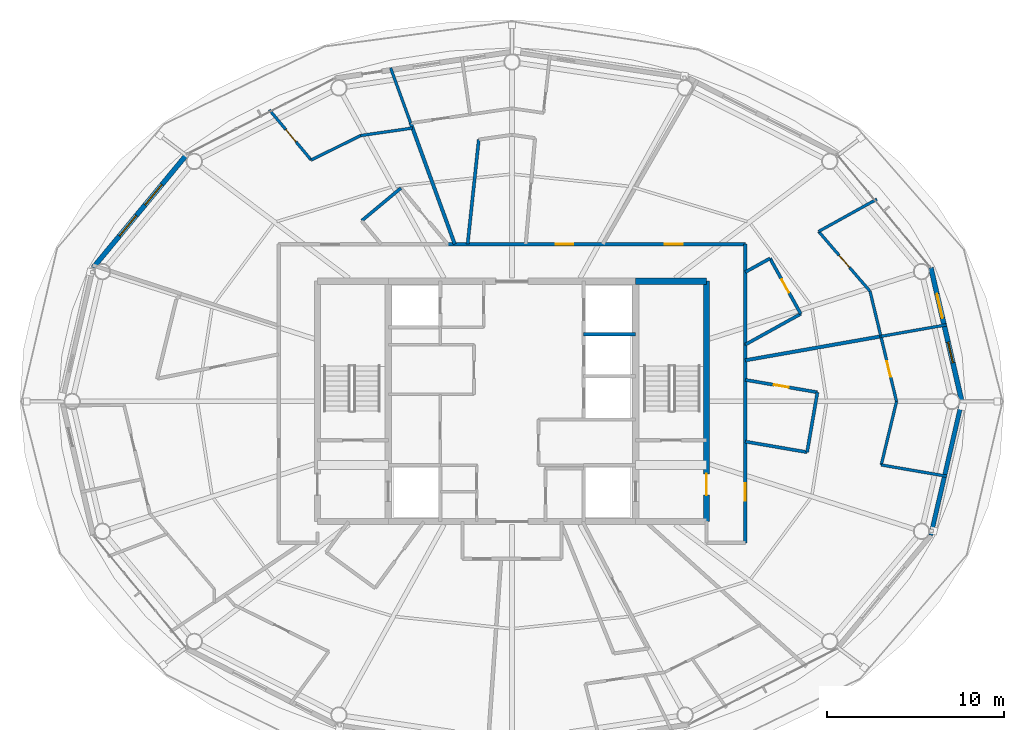
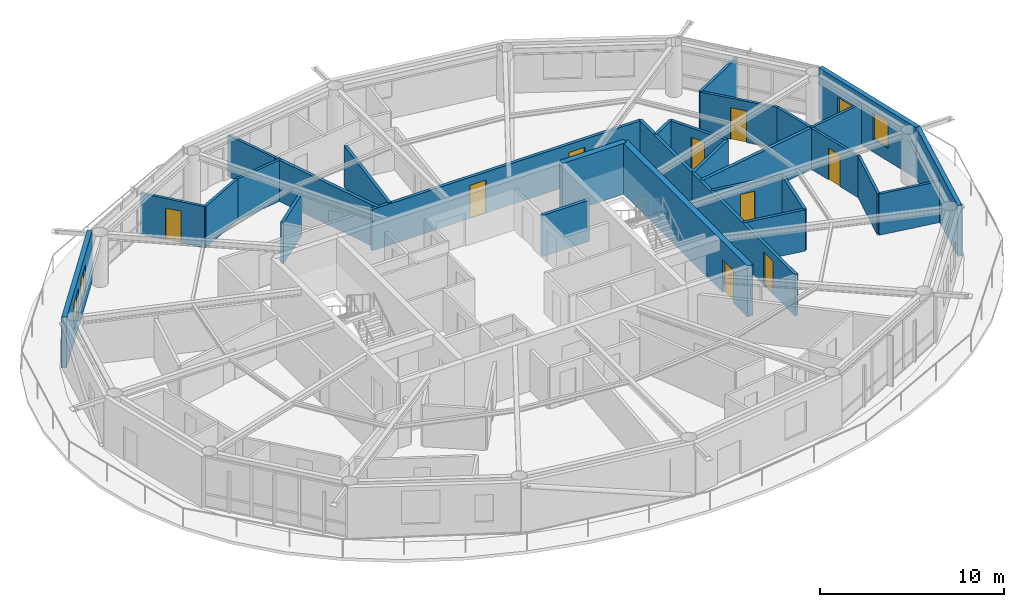
# One storey, part 18 of 22: 29 walls, 10 doors, 3 windows, 13 openings.
"""IFC4 building model written with IfcOpenShell, lengths in metres."""

from ifc_helpers import new_model, si_unit, direction, frame, frame_2d, origin, place, context, subcontext, project, spatial, rectangle, extrude, material, layer, layer_set, type_object, element, fill, save


model = new_model("IFC4")

# Units and contexts
model_context = context("Model", 3, precision=1e-05, world=origin(), true_north=direction((0.0, 1.0)))
body_context = subcontext(model_context, "Body", "Model", "MODEL_VIEW")
ifc_project = project(units=[si_unit("LENGTHUNIT", "METRE"), si_unit("AREAUNIT", "SQUARE_METRE"), si_unit("VOLUMEUNIT", "CUBIC_METRE"), si_unit("PLANEANGLEUNIT", "RADIAN"), si_unit("MASSUNIT", "GRAM", prefix="KILO")], contexts=[model_context])

# Site, building, storey
site_placement = place(None, origin())
site = spatial("IfcSite", under=ifc_project, at=site_placement, CompositionType="ELEMENT")
building_placement = place(site_placement, origin())
building = spatial("IfcBuilding", under=site, at=building_placement, Name="Sarneth Arch Tower", CompositionType="ELEMENT")
storey_placement = place(building_placement, frame((0.0, 0.0, 298.199951171875)))
storey = spatial("IfcBuildingStorey", under=building, at=storey_placement, Name="L77", CompositionType="ELEMENT", Elevation=298.199951171875)

# Wall
ifc_material_1 = material(Name="Concrete C50/60", Category="concrete")
ifc_layer_1 = layer(ifc_material_1, 0.35009765625)
ifc_layer_set_1 = layer_set([ifc_layer_1], Name="Concrete C50/60")
wall_type_1 = type_object("IfcWallType", Name="WALL-CORE-350", PredefinedType="SHEAR", material=ifc_layer_set_1)
wall_1_placement = place(storey_placement, frame((55.0, 48.800048828125, 0.0), z_axis=(0.0, 0.0, 1.0), x_axis=(1.0, 0.0, 0.0)))
element("IfcWall", 1, at=wall_1_placement, inside=storey, type_object=wall_type_1, Name="L77 Core shear wall N-E", PredefinedType="SHEAR", context=body_context, shape_type="SweptSolid", body=[
    extrude(rectangle(XDim=4.0, YDim=0.35009765625, at=frame_2d((2.0, 0.0))), origin(), (0.0, 0.0, 1.0), 3.3701171875),
])

# Wall, opening, door
wall_2_placement = place(storey_placement, frame((59.0, 35.199951171875, 0.0), z_axis=(0.0, 0.0, 1.0), x_axis=(0.0, 1.0, 0.0)))
wall_2 = element("IfcWall", 2, at=wall_2_placement, inside=storey, type_object=wall_type_1, Name="L77 Core shear wall E", PredefinedType="SHEAR", context=body_context, shape_type="SweptSolid", body=[
    extrude(rectangle(XDim=13.60009765625, YDim=0.35009765625, at=frame_2d((6.800048828125, 0.0))), origin(), (0.0, 0.0, 1.0), 3.3701171875),
])
opening_1_placement = place(wall_2_placement, frame((1.5, 0.0, 0.0)))
opening_1 = element("IfcOpeningElement", 3, at=opening_1_placement, cuts=wall_2, Name="Opening FD-02", PredefinedType="OPENING", context=body_context, shape_type="SweptSolid", body=[
    extrude(rectangle(XDim=1.199951171875, YDim=2.14990234375, at=frame_2d((0.60009765625, 1.074951171875))), frame((0.0, 0.18505859375, 0.0), z_axis=(0.0, -1.0, 0.0), x_axis=(1.0, 0.0, 0.0)), (0.0, 0.0, 1.0), 0.3701171875),
])
ifc_material_2 = material(Name="Galvanised Steel S275 fire door set", Category="steel")
door_type_1 = type_object("IfcDoorType", Name="DR-FD90-1200", OperationType="SINGLE_SWING_LEFT", PredefinedType="DOOR", material=ifc_material_2)
door_1_placement = place(opening_1_placement, origin())
door_1 = element("IfcDoor", 4, at=door_1_placement, inside=storey, type_object=door_type_1, Name="L77 Firefighting lobby 2 exit door", OperationType="SINGLE_SWING_RIGHT", OverallHeight=2.14990234375, OverallWidth=1.199951171875, PredefinedType="DOOR", context=body_context, shape_type="SweptSolid", body=[
    extrude(rectangle(XDim=1.199951171875, YDim=2.14990234375, at=frame_2d((0.60009765625, 1.074951171875))), frame((0.0, 0.02490234375, 0.0), z_axis=(0.0, -1.0, 0.0), x_axis=(1.0, 0.0, 0.0)), (0.0, 0.0, 1.0), 0.050048828125),
])
fill(opening_1, door_1)

# Wall, openings, doors
ifc_material_3 = material(Name="Double steel-stud corridor fire wall", Category="steel")
ifc_layer_2 = layer(ifc_material_3, 0.18994140625)
ifc_layer_set_2 = layer_set([ifc_layer_2], Name="Double steel-stud corridor fire wall")
wall_type_2 = type_object("IfcWallType", Name="WALL-CORR-190", PredefinedType="PARTITIONING", material=ifc_layer_set_2)
wall_3_placement = place(storey_placement, frame((44.3173828125, 50.89990234375, 0.0), z_axis=(0.0, 0.0, 1.0), x_axis=(1.0, 0.0, 0.0)))
wall_3 = element("IfcWall", 5, at=wall_3_placement, inside=storey, type_object=wall_type_2, Name="L77 Interior partition W-L77-TP-001", PredefinedType="PARTITIONING", context=body_context, shape_type="SweptSolid", body=[
    extrude(rectangle(XDim=16.882568359375, YDim=0.18994140625, at=frame_2d((8.44140625, 0.0))), origin(), (0.0, 0.0, 1.0), 2.72998046875),
])
opening_2_placement = place(wall_3_placement, frame((12.333251953125, 0.0, 0.0)))
opening_2 = element("IfcOpeningElement", 6, at=opening_2_placement, cuts=wall_3, Name="Opening FD-08", PredefinedType="OPENING", context=body_context, shape_type="SweptSolid", body=[
    extrude(rectangle(XDim=1.0, YDim=2.199951171875, at=frame_2d((0.5, 1.10009765625))), frame((0.0, 0.10498046875, 0.0), z_axis=(0.0, -1.0, 0.0), x_axis=(1.0, 0.0, 0.0)), (0.0, 0.0, 1.0), 0.2099609375),
])
opening_3_placement = place(wall_3_placement, frame((6.1435546875, 0.0, 0.0)))
opening_3 = element("IfcOpeningElement", 7, at=opening_3_placement, cuts=wall_3, Name="Opening FD-08", PredefinedType="OPENING", context=body_context, shape_type="SweptSolid", body=[
    extrude(rectangle(XDim=1.0, YDim=2.199951171875, at=frame_2d((0.5, 1.10009765625))), frame((0.0, 0.10498046875, 0.0), z_axis=(0.0, -1.0, 0.0), x_axis=(1.0, 0.0, 0.0)), (0.0, 0.0, 1.0), 0.2099609375),
])
ifc_material_4 = material(Name="Hardwood timber acoustic fire door", Category="wood")
door_type_2 = type_object("IfcDoorType", Name="DR-FD60-1000", OperationType="SINGLE_SWING_LEFT", PredefinedType="DOOR", material=ifc_material_4)
door_2_placement = place(opening_2_placement, origin())
door_2 = element("IfcDoor", 8, at=door_2_placement, inside=storey, type_object=door_type_2, Name="L77 Interior door DR-L77-U1-ENT", OperationType="SINGLE_SWING_LEFT", OverallHeight=2.199951171875, OverallWidth=1.0, PredefinedType="DOOR", context=body_context, shape_type="SweptSolid", body=[
    extrude(rectangle(XDim=1.0, YDim=2.199951171875, at=frame_2d((0.5, 1.10009765625))), frame((0.0, 0.02490234375, 0.0), z_axis=(0.0, -1.0, 0.0), x_axis=(1.0, 0.0, 0.0)), (0.0, 0.0, 1.0), 0.050048828125),
])
fill(opening_2, door_2)
door_3_placement = place(opening_3_placement, origin())
door_3 = element("IfcDoor", 9, at=door_3_placement, inside=storey, type_object=door_type_2, Name="L77 Interior door DR-L77-U2-ENT", OperationType="SINGLE_SWING_LEFT", OverallHeight=2.199951171875, OverallWidth=1.0, PredefinedType="DOOR", context=body_context, shape_type="SweptSolid", body=[
    extrude(rectangle(XDim=1.0, YDim=2.199951171875, at=frame_2d((0.5, 1.10009765625))), frame((0.0, 0.02490234375, 0.0), z_axis=(0.0, -1.0, 0.0), x_axis=(1.0, 0.0, 0.0)), (0.0, 0.0, 1.0), 0.050048828125),
])
fill(opening_3, door_3)

# Wall, opening, door
wall_4_placement = place(storey_placement, frame((61.199951171875, 45.251708984375, 0.0), z_axis=(0.0, 0.0, 1.0), x_axis=(0.0, -1.0, 0.0)))
wall_4 = element("IfcWall", 10, at=wall_4_placement, inside=storey, type_object=wall_type_2, Name="L77 Interior partition W-L77-TP-017", PredefinedType="PARTITIONING", context=body_context, shape_type="SweptSolid", body=[
    extrude(rectangle(XDim=11.251708984375, YDim=0.18994140625, at=frame_2d((5.6259765625, 0.0))), origin(), (0.0, 0.0, 1.0), 2.72998046875),
])
opening_4_placement = place(wall_4_placement, frame((7.870849609375, 0.0, 0.0)))
opening_4 = element("IfcOpeningElement", 11, at=opening_4_placement, cuts=wall_4, Name="Opening FD-08", PredefinedType="OPENING", context=body_context, shape_type="SweptSolid", body=[
    extrude(rectangle(XDim=1.0, YDim=2.199951171875, at=frame_2d((0.5, 1.10009765625))), frame((0.0, 0.10498046875, 0.0), z_axis=(0.0, -1.0, 0.0), x_axis=(1.0, 0.0, 0.0)), (0.0, 0.0, 1.0), 0.2099609375),
])
door_4_placement = place(opening_4_placement, origin())
door_4 = element("IfcDoor", 12, at=door_4_placement, inside=storey, type_object=door_type_2, Name="L77 Interior door DR-L77-U7-ENT", OperationType="SINGLE_SWING_LEFT", OverallHeight=2.199951171875, OverallWidth=1.0, PredefinedType="DOOR", context=body_context, shape_type="SweptSolid", body=[
    extrude(rectangle(XDim=1.0, YDim=2.199951171875, at=frame_2d((0.5, 1.10009765625))), frame((0.0, 0.02490234375, 0.0), z_axis=(0.0, -1.0, 0.0), x_axis=(1.0, 0.0, 0.0)), (0.0, 0.0, 1.0), 0.050048828125),
])
fill(opening_4, door_4)

# Walls
wall_5_placement = place(storey_placement, frame((61.199951171875, 50.89990234375, 0.0), z_axis=(0.0, 0.0, 1.0), x_axis=(0.0, -1.0, 0.0)))
element("IfcWall", 13, at=wall_5_placement, inside=storey, type_object=wall_type_2, Name="L77 Interior partition W-L77-TP-004", PredefinedType="PARTITIONING", context=body_context, shape_type="SweptSolid", body=[
    extrude(rectangle(XDim=5.72119140625, YDim=0.18994140625, at=frame_2d((2.860595703125, 0.0))), origin(), (0.0, 0.0, 1.0), 2.72998046875),
])
ifc_material_5 = material(Name="Extruded terracotta rainscreen on Concrete C40/50 backing", Category="masonry")
ifc_layer_3 = layer(ifc_material_5, 0.25)
ifc_layer_set_3 = layer_set([ifc_layer_3], Name="Extruded terracotta rainscreen on Concrete C40/50 backing")
wall_type_3 = type_object("IfcWallType", Name="WALL-EXT-SPAND-250", PredefinedType="SOLIDWALL", material=ifc_layer_set_3)
wall_6_placement = place(storey_placement, frame((71.69384765625, 34.430419921875, 0.0), z_axis=(0.0, 0.0, 1.0), x_axis=(0.225635078214, 0.974211892495, 0.0)))
element("IfcWall", 14, at=wall_6_placement, inside=storey, type_object=wall_type_3, Name="L77 Terracotta perimeter wall 16", PredefinedType="SOLIDWALL", context=body_context, shape_type="SweptSolid", body=[
    extrude(rectangle(XDim=7.77001953125, YDim=0.25, at=frame_2d((3.885009765625, 0.0))), origin(), (0.0, 0.0, 1.0), 3.3701171875),
])

# Wall, openings, door, window
ifc_material_6 = material(Name="Extruded terracotta rainscreen on Concrete C40/50 backing", Category="masonry")
ifc_layer_4 = layer(ifc_material_6, 0.280029296875)
ifc_layer_set_4 = layer_set([ifc_layer_4], Name="Extruded terracotta rainscreen on Concrete C40/50 backing")
wall_type_4 = type_object("IfcWallType", Name="WALL-EXT-TERRA-280", PredefinedType="SOLIDWALL", material=ifc_layer_set_4)
wall_7_placement = place(storey_placement, frame((73.447021484375, 42.0, 0.0), z_axis=(0.0, 0.0, 1.0), x_axis=(-0.225635078214, 0.974211892495, 0.0)))
wall_7 = element("IfcWall", 15, at=wall_7_placement, inside=storey, type_object=wall_type_4, Name="L77 Terracotta perimeter wall 01", PredefinedType="SOLIDWALL", context=body_context, shape_type="SweptSolid", body=[
    extrude(rectangle(XDim=7.77001953125, YDim=0.280029296875, at=frame_2d((3.885009765625, 0.0))), origin(), (0.0, 0.0, 1.0), 3.3701171875),
])
opening_5_placement = place(wall_7_placement, frame((2.247802734375, 0.0, 0.85009765625)))
opening_5 = element("IfcOpeningElement", 16, at=opening_5_placement, cuts=wall_7, Name="Opening W-09", PredefinedType="OPENING", context=body_context, shape_type="SweptSolid", body=[
    extrude(rectangle(XDim=1.199951171875, YDim=1.800048828125, at=frame_2d((0.60009765625, 0.89990234375))), frame((0.0, 0.14990234375, 0.0), z_axis=(0.0, -1.0, 0.0), x_axis=(1.0, 0.0, 0.0)), (0.0, 0.0, 1.0), 0.300048828125),
])
opening_6_placement = place(wall_7_placement, frame((4.842041015625, 0.0, 0.0)))
opening_6 = element("IfcOpeningElement", 17, at=opening_6_placement, cuts=wall_7, Name="Opening BD-2", PredefinedType="OPENING", context=body_context, shape_type="SweptSolid", body=[
    extrude(rectangle(XDim=1.39990234375, YDim=2.199951171875, at=frame_2d((0.699951171875, 1.10009765625))), frame((0.0, 0.14990234375, 0.0), z_axis=(0.0, -1.0, 0.0), x_axis=(1.0, 0.0, 0.0)), (0.0, 0.0, 1.0), 0.300048828125),
])
ifc_material_7 = material(Name="Thermally broken Aluminium 6063-T6 and laminated safety glass", Category="aluminium")
door_type_3 = type_object("IfcDoorType", Name="DR-BALC-GLZ-1400", OperationType="SINGLE_SWING_LEFT", PredefinedType="DOOR", material=ifc_material_7)
door_5_placement = place(opening_6_placement, origin())
door_5 = element("IfcDoor", 18, at=door_5_placement, inside=storey, type_object=door_type_3, Name="L77 Balcony glazed door 01", OperationType="SINGLE_SWING_LEFT", OverallHeight=2.199951171875, OverallWidth=1.39990234375, PredefinedType="DOOR", context=body_context, shape_type="SweptSolid", body=[
    extrude(rectangle(XDim=1.39990234375, YDim=2.199951171875, at=frame_2d((0.699951171875, 1.10009765625))), frame((0.0, 0.02490234375, 0.0), z_axis=(0.0, -1.0, 0.0), x_axis=(1.0, 0.0, 0.0)), (0.0, 0.0, 1.0), 0.050048828125),
])
fill(opening_6, door_5)
ifc_material_8 = material(Name="Thermally broken Aluminium 6063-T6 and low-e laminated IGU", Category="aluminium")
window_type_1 = type_object("IfcWindowType", Name="WIN-TWR-1200x1800", PartitioningType="SINGLE_PANEL", PredefinedType="WINDOW", material=ifc_material_8)
window_1_placement = place(opening_5_placement, origin())
window_1 = element("IfcWindow", 19, at=window_1_placement, inside=storey, type_object=window_type_1, Name="L77 Exterior window 01A", OverallHeight=1.800048828125, OverallWidth=1.199951171875, PartitioningType="SINGLE_PANEL", PredefinedType="WINDOW", context=body_context, shape_type="SweptSolid", body=[
    extrude(rectangle(XDim=1.199951171875, YDim=1.800048828125, at=frame_2d((0.60009765625, 0.89990234375))), frame((0.0, 0.030029296875, 0.0), z_axis=(0.0, -1.0, 0.0), x_axis=(1.0, 0.0, 0.0)), (0.0, 0.0, 1.0), 0.06005859375),
])
fill(opening_5, window_1)

# Wall, openings, windows
wall_8_placement = place(storey_placement, frame((29.617431640625, 55.986572265625, 0.0), z_axis=(0.0, 0.0, 1.0), x_axis=(-0.63761509934, -0.770355103243, 0.0)))
wall_8 = element("IfcWall", 20, at=wall_8_placement, inside=storey, type_object=wall_type_4, Name="L77 Terracotta perimeter wall 07", PredefinedType="SOLIDWALL", context=body_context, shape_type="SweptSolid", body=[
    extrude(rectangle(XDim=8.329833984375, YDim=0.280029296875, at=frame_2d((4.1650390625, 0.0))), origin(), (0.0, 0.0, 1.0), 3.3701171875),
])
opening_7_placement = place(wall_8_placement, frame((2.226318359375, 0.0, 0.85009765625)))
opening_7 = element("IfcOpeningElement", 21, at=opening_7_placement, cuts=wall_8, Name="Opening W-07", PredefinedType="OPENING", context=body_context, shape_type="SweptSolid", body=[
    extrude(rectangle(XDim=1.5, YDim=1.800048828125, at=frame_2d((0.75, 0.89990234375))), frame((0.0, 0.14990234375, 0.0), z_axis=(0.0, -1.0, 0.0), x_axis=(1.0, 0.0, 0.0)), (0.0, 0.0, 1.0), 0.300048828125),
])
opening_8_placement = place(wall_8_placement, frame((4.496337890625, 0.0, 0.85009765625)))
opening_8 = element("IfcOpeningElement", 22, at=opening_8_placement, cuts=wall_8, Name="Opening W-07", PredefinedType="OPENING", context=body_context, shape_type="SweptSolid", body=[
    extrude(rectangle(XDim=1.5, YDim=1.800048828125, at=frame_2d((0.75, 0.89990234375))), frame((0.0, 0.14990234375, 0.0), z_axis=(0.0, -1.0, 0.0), x_axis=(1.0, 0.0, 0.0)), (0.0, 0.0, 1.0), 0.300048828125),
])
ifc_material_9 = material(Name="Thermally broken Aluminium 6063-T6 and low-e laminated IGU", Category="aluminium")
window_type_2 = type_object("IfcWindowType", Name="WIN-TWR-1500x1800", PartitioningType="SINGLE_PANEL", PredefinedType="WINDOW", material=ifc_material_9)
window_2_placement = place(opening_7_placement, origin())
window_2 = element("IfcWindow", 23, at=window_2_placement, inside=storey, type_object=window_type_2, Name="L77 Exterior window 07A", OverallHeight=1.800048828125, OverallWidth=1.5, PartitioningType="SINGLE_PANEL", PredefinedType="WINDOW", context=body_context, shape_type="SweptSolid", body=[
    extrude(rectangle(XDim=1.5, YDim=1.800048828125, at=frame_2d((0.75, 0.89990234375))), frame((0.0, 0.030029296875, 0.0), z_axis=(0.0, -1.0, 0.0), x_axis=(1.0, 0.0, 0.0)), (0.0, 0.0, 1.0), 0.06005859375),
])
fill(opening_7, window_2)
window_3_placement = place(opening_8_placement, origin())
window_3 = element("IfcWindow", 24, at=window_3_placement, inside=storey, type_object=window_type_2, Name="L77 Exterior window 07B", OverallHeight=1.800048828125, OverallWidth=1.5, PartitioningType="SINGLE_PANEL", PredefinedType="WINDOW", context=body_context, shape_type="SweptSolid", body=[
    extrude(rectangle(XDim=1.5, YDim=1.800048828125, at=frame_2d((0.75, 0.89990234375))), frame((0.0, 0.030029296875, 0.0), z_axis=(0.0, -1.0, 0.0), x_axis=(1.0, 0.0, 0.0)), (0.0, 0.0, 1.0), 0.06005859375),
])
fill(opening_8, window_3)

# Wall, opening, door
ifc_material_10 = material(Name="Kitchen wet service chase wall", Category="gypsum")
ifc_layer_5 = layer(ifc_material_10, 0.159912109375)
ifc_layer_set_5 = layer_set([ifc_layer_5], Name="Kitchen wet service chase wall")
wall_type_5 = type_object("IfcWallType", Name="WALL-PLUMB-160", PredefinedType="PLUMBINGWALL", material=ifc_layer_set_5)
wall_9_placement = place(storey_placement, frame((68.254638671875, 48.22998046875, 0.0), z_axis=(0.0, 0.0, 1.0), x_axis=(-0.651876369693, 0.758325259131, 0.0)))
wall_9 = element("IfcWall", 25, at=wall_9_placement, inside=storey, type_object=wall_type_5, Name="L77 Interior partition W-L77-TP-031", PredefinedType="PLUMBINGWALL", context=body_context, shape_type="SweptSolid", body=[
    extrude(rectangle(XDim=4.463134765625, YDim=0.159912109375, at=frame_2d((2.2314453125, 0.0))), origin(), (0.0, 0.0, 1.0), 2.72998046875),
])
opening_9_placement = place(wall_9_placement, frame((1.781494140625, 0.0, 0.0)))
opening_9 = element("IfcOpeningElement", 26, at=opening_9_placement, cuts=wall_9, Name="Opening ID-01", PredefinedType="OPENING", context=body_context, shape_type="SweptSolid", body=[
    extrude(rectangle(XDim=0.89990234375, YDim=2.10009765625, at=frame_2d((0.449951171875, 1.050048828125))), frame((0.0, 0.08984375, 0.0), z_axis=(0.0, -1.0, 0.0), x_axis=(1.0, 0.0, 0.0)), (0.0, 0.0, 1.0), 0.179931640625),
])
ifc_material_11 = material(Name="Engineered hardwood flush door", Category="wood")
door_type_4 = type_object("IfcDoorType", Name="DR-INT-900", OperationType="SINGLE_SWING_LEFT", PredefinedType="DOOR", material=ifc_material_11)
door_6_placement = place(opening_9_placement, origin())
door_6 = element("IfcDoor", 27, at=door_6_placement, inside=storey, type_object=door_type_4, Name="L77 Interior door DR-L77-U1-KIT", OperationType="SINGLE_SWING_RIGHT", OverallHeight=2.10009765625, OverallWidth=0.89990234375, PredefinedType="DOOR", context=body_context, shape_type="SweptSolid", body=[
    extrude(rectangle(XDim=0.89990234375, YDim=2.10009765625, at=frame_2d((0.449951171875, 1.050048828125))), frame((0.0, 0.02490234375, 0.0), z_axis=(0.0, -1.0, 0.0), x_axis=(1.0, 0.0, 0.0)), (0.0, 0.0, 1.0), 0.050048828125),
])
fill(opening_9, door_6)

wall_10_placement = place(storey_placement, frame((69.75341796875, 42.0, 0.0), z_axis=(0.0, 0.0, 1.0), x_axis=(-0.233901777694, 0.972260231827, 0.0)))
wall_10 = element("IfcWall", 28, at=wall_10_placement, inside=storey, type_object=wall_type_5, Name="L77 Interior partition W-L77-TP-094", PredefinedType="PLUMBINGWALL", context=body_context, shape_type="SweptSolid", body=[
    extrude(rectangle(XDim=6.40771484375, YDim=0.159912109375, at=frame_2d((3.203857421875, 0.0))), origin(), (0.0, 0.0, 1.0), 2.72998046875),
])
opening_10_placement = place(wall_10_placement, frame((1.4423828125, 0.0, 0.0)))
opening_10 = element("IfcOpeningElement", 29, at=opening_10_placement, cuts=wall_10, Name="Opening ID-01", PredefinedType="OPENING", context=body_context, shape_type="SweptSolid", body=[
    extrude(rectangle(XDim=0.89990234375, YDim=2.10009765625, at=frame_2d((0.449951171875, 1.050048828125))), frame((0.0, 0.08984375, 0.0), z_axis=(0.0, -1.0, 0.0), x_axis=(1.0, 0.0, 0.0)), (0.0, 0.0, 1.0), 0.179931640625),
])
door_7_placement = place(opening_10_placement, origin())
door_7 = element("IfcDoor", 30, at=door_7_placement, inside=storey, type_object=door_type_4, Name="L77 Interior door DR-L77-U7-KIT", OperationType="SINGLE_SWING_RIGHT", OverallHeight=2.10009765625, OverallWidth=0.89990234375, PredefinedType="DOOR", context=body_context, shape_type="SweptSolid", body=[
    extrude(rectangle(XDim=0.89990234375, YDim=2.10009765625, at=frame_2d((0.449951171875, 1.050048828125))), frame((0.0, 0.02490234375, 0.0), z_axis=(0.0, -1.0, 0.0), x_axis=(1.0, 0.0, 0.0)), (0.0, 0.0, 1.0), 0.050048828125),
])
fill(opening_10, door_7)

# Walls
wall_11_placement = place(storey_placement, frame((65.34521484375, 51.614501953125, 0.0), z_axis=(0.0, 0.0, 1.0), x_axis=(0.874615178745, 0.484817789596, 0.0)))
element("IfcWall", 31, at=wall_11_placement, inside=storey, type_object=wall_type_5, Name="L77 Interior partition W-L77-TP-032", PredefinedType="PLUMBINGWALL", context=body_context, shape_type="SweptSolid", body=[
    extrude(rectangle(XDim=3.769287109375, YDim=0.159912109375, at=frame_2d((1.884765625, 0.0))), origin(), (0.0, 0.0, 1.0), 2.72998046875),
])
wall_12_placement = place(storey_placement, frame((72.59033203125, 37.770263671875, 0.0), z_axis=(0.0, 0.0, 1.0), x_axis=(-0.985535831404, 0.169467179769, 0.0)))
element("IfcWall", 32, at=wall_12_placement, inside=storey, type_object=wall_type_5, Name="L77 Interior partition W-L77-TP-092", PredefinedType="PLUMBINGWALL", context=body_context, shape_type="SweptSolid", body=[
    extrude(rectangle(XDim=3.755859375, YDim=0.159912109375, at=frame_2d((1.8779296875, 0.0))), origin(), (0.0, 0.0, 1.0), 2.72998046875),
])
wall_13_placement = place(storey_placement, frame((68.8681640625, 45.6796875, 0.0), z_axis=(0.0, 0.0, 1.0), x_axis=(0.984809725457, 0.173636991003, 0.0)))
element("IfcWall", 33, at=wall_13_placement, inside=storey, type_object=wall_type_5, Name="L77 Interior partition W-L77-TP-035", PredefinedType="PLUMBINGWALL", context=body_context, shape_type="SweptSolid", body=[
    extrude(rectangle(XDim=3.755615234375, YDim=0.159912109375, at=frame_2d((1.8779296875, 0.0))), origin(), (0.0, 0.0, 1.0), 2.72998046875),
])

# Wall, opening, door
wall_14_placement = place(storey_placement, frame((34.270751953125, 58.501708984375, 0.0), z_axis=(0.0, 0.0, 1.0), x_axis=(0.639580550632, -0.768724085257, 0.0)))
wall_14 = element("IfcWall", 34, at=wall_14_placement, inside=storey, type_object=wall_type_5, Name="L77 Interior partition W-L77-TP-051", PredefinedType="PLUMBINGWALL", context=body_context, shape_type="SweptSolid", body=[
    extrude(rectangle(XDim=3.69970703125, YDim=0.159912109375, at=frame_2d((1.849853515625, 0.0))), origin(), (0.0, 0.0, 1.0), 2.72998046875),
])
opening_11_placement = place(wall_14_placement, frame((1.459716796875, 0.0, 0.0)))
opening_11 = element("IfcOpeningElement", 35, at=opening_11_placement, cuts=wall_14, Name="Opening ID-01", PredefinedType="OPENING", context=body_context, shape_type="SweptSolid", body=[
    extrude(rectangle(XDim=0.89990234375, YDim=2.10009765625, at=frame_2d((0.449951171875, 1.050048828125))), frame((0.0, 0.08984375, 0.0), z_axis=(0.0, -1.0, 0.0), x_axis=(1.0, 0.0, 0.0)), (0.0, 0.0, 1.0), 0.179931640625),
])
door_8_placement = place(opening_11_placement, origin())
door_8 = element("IfcDoor", 36, at=door_8_placement, inside=storey, type_object=door_type_4, Name="L77 Interior door DR-L77-U3-KIT", OperationType="SINGLE_SWING_LEFT", OverallHeight=2.10009765625, OverallWidth=0.89990234375, PredefinedType="DOOR", context=body_context, shape_type="SweptSolid", body=[
    extrude(rectangle(XDim=0.89990234375, YDim=2.10009765625, at=frame_2d((0.449951171875, 1.050048828125))), frame((0.0, 0.02490234375, 0.0), z_axis=(0.0, -1.0, 0.0), x_axis=(1.0, 0.0, 0.0)), (0.0, 0.0, 1.0), 0.050048828125),
])
fill(opening_11, door_8)

# Walls
wall_15_placement = place(storey_placement, frame((68.888916015625, 38.40673828125, 0.0), z_axis=(0.0, 0.0, 1.0), x_axis=(0.233915080076, 0.972257031506, 0.0)))
element("IfcWall", 37, at=wall_15_placement, inside=storey, type_object=wall_type_5, Name="L77 Interior partition W-L77-TP-093", PredefinedType="PLUMBINGWALL", context=body_context, shape_type="SweptSolid", body=[
    extrude(rectangle(XDim=3.69580078125, YDim=0.159912109375, at=frame_2d((1.847900390625, 0.0))), origin(), (0.0, 0.0, 1.0), 2.72998046875),
])
wall_16_placement = place(storey_placement, frame((42.26953125, 57.744384765625, 0.0), z_axis=(0.0, 0.0, 1.0), x_axis=(-0.341990855898, 0.939703280021, 0.0)))
element("IfcWall", 38, at=wall_16_placement, inside=storey, type_object=wall_type_5, Name="L77 Interior partition W-L77-TP-047", PredefinedType="PLUMBINGWALL", context=body_context, shape_type="SweptSolid", body=[
    extrude(rectangle(XDim=3.322509765625, YDim=0.159912109375, at=frame_2d((1.6611328125, 0.0))), origin(), (0.0, 0.0, 1.0), 2.72998046875),
])
wall_17_placement = place(storey_placement, frame((36.636962890625, 55.65771484375, 0.0), z_axis=(0.0, 0.0, 1.0), x_axis=(0.896819517678, 0.442396601153, 0.0)))
element("IfcWall", 39, at=wall_17_placement, inside=storey, type_object=wall_type_5, Name="L77 Interior partition W-L77-TP-052", PredefinedType="PLUMBINGWALL", context=body_context, shape_type="SweptSolid", body=[
    extrude(rectangle(XDim=3.126220703125, YDim=0.159912109375, at=frame_2d((1.56298828125, 0.0))), origin(), (0.0, 0.0, 1.0), 2.72998046875),
])
wall_18_placement = place(storey_placement, frame((39.440673828125, 57.040771484375, 0.0), z_axis=(0.0, 0.0, 1.0), x_axis=(0.989678909965, 0.143302669793, 0.0)))
element("IfcWall", 40, at=wall_18_placement, inside=storey, type_object=wall_type_5, Name="L77 Interior partition W-L77-TP-053", PredefinedType="PLUMBINGWALL", context=body_context, shape_type="SweptSolid", body=[
    extrude(rectangle(XDim=2.9609375, YDim=0.159912109375, at=frame_2d((1.48046875, 0.0))), origin(), (0.0, 0.0, 1.0), 2.72998046875),
])
ifc_material_12 = material(Name="Moisture-resistant plumbing chase wall", Category="gypsum")
ifc_layer_6 = layer(ifc_material_12, 0.179931640625)
ifc_layer_set_6 = layer_set([ifc_layer_6], Name="Moisture-resistant plumbing chase wall")
wall_type_6 = type_object("IfcWallType", Name="WALL-PLUMB-180", PredefinedType="PLUMBINGWALL", material=ifc_layer_set_6)
wall_19_placement = place(storey_placement, frame((46.12158203125, 56.811279296875, 0.0), z_axis=(0.0, 0.0, 1.0), x_axis=(-0.106076350818, -0.994357987747, 0.0)))
element("IfcWall", 41, at=wall_19_placement, inside=storey, type_object=wall_type_6, Name="L77 Interior partition W-L77-TP-042", PredefinedType="PLUMBINGWALL", context=body_context, shape_type="SweptSolid", body=[
    extrude(rectangle(XDim=5.94482421875, YDim=0.179931640625, at=frame_2d((2.972412109375, 0.0))), origin(), (0.0, 0.0, 1.0), 2.72998046875),
])

# Wall, opening, door
wall_20_placement = place(storey_placement, frame((61.199951171875, 43.21875, 0.0), z_axis=(0.0, 0.0, 1.0), x_axis=(0.985525793949, -0.169525542211, 0.0)))
wall_20 = element("IfcWall", 42, at=wall_20_placement, inside=storey, type_object=wall_type_6, Name="L77 Interior partition W-L77-TP-089", PredefinedType="PLUMBINGWALL", context=body_context, shape_type="SweptSolid", body=[
    extrude(rectangle(XDim=4.137451171875, YDim=0.179931640625, at=frame_2d((2.06884765625, 0.0))), origin(), (0.0, 0.0, 1.0), 2.72998046875),
])
opening_12_placement = place(wall_20_placement, frame((1.643798828125, 0.0, 0.0)))
opening_12 = element("IfcOpeningElement", 43, at=opening_12_placement, cuts=wall_20, Name="Opening ID-02", PredefinedType="OPENING", context=body_context, shape_type="SweptSolid", body=[
    extrude(rectangle(XDim=0.85009765625, YDim=2.10009765625, at=frame_2d((0.425048828125, 1.050048828125))), frame((0.0, 0.099853515625, 0.0), z_axis=(0.0, -1.0, 0.0), x_axis=(1.0, 0.0, 0.0)), (0.0, 0.0, 1.0), 0.199951171875),
])
ifc_material_13 = material(Name="Moisture-resistant bathroom timber door", Category="wood")
door_type_5 = type_object("IfcDoorType", Name="DR-INT-850", OperationType="SINGLE_SWING_RIGHT", PredefinedType="DOOR", material=ifc_material_13)
door_9_placement = place(opening_12_placement, origin())
door_9 = element("IfcDoor", 44, at=door_9_placement, inside=storey, type_object=door_type_5, Name="L77 Interior door DR-L77-U7-BATH", OperationType="SINGLE_SWING_LEFT", OverallHeight=2.10009765625, OverallWidth=0.85009765625, PredefinedType="DOOR", context=body_context, shape_type="SweptSolid", body=[
    extrude(rectangle(XDim=0.85009765625, YDim=2.10009765625, at=frame_2d((0.425048828125, 1.050048828125))), frame((0.0, 0.02490234375, 0.0), z_axis=(0.0, -1.0, 0.0), x_axis=(1.0, 0.0, 0.0)), (0.0, 0.0, 1.0), 0.050048828125),
])
fill(opening_12, door_9)

wall_21_placement = place(storey_placement, frame((64.3359375, 46.95361328125, 0.0), z_axis=(0.0, 0.0, 1.0), x_axis=(-0.484839522757, 0.874603131239, 0.0)))
wall_21 = element("IfcWall", 45, at=wall_21_placement, inside=storey, type_object=wall_type_6, Name="L77 Interior partition W-L77-TP-028", PredefinedType="PLUMBINGWALL", context=body_context, shape_type="SweptSolid", body=[
    extrude(rectangle(XDim=3.58740234375, YDim=0.179931640625, at=frame_2d((1.793701171875, 0.0))), origin(), (0.0, 0.0, 1.0), 2.72998046875),
])
opening_13_placement = place(wall_21_placement, frame((1.36865234375, 0.0, 0.0)))
opening_13 = element("IfcOpeningElement", 46, at=opening_13_placement, cuts=wall_21, Name="Opening ID-02", PredefinedType="OPENING", context=body_context, shape_type="SweptSolid", body=[
    extrude(rectangle(XDim=0.85009765625, YDim=2.10009765625, at=frame_2d((0.425048828125, 1.050048828125))), frame((0.0, 0.099853515625, 0.0), z_axis=(0.0, -1.0, 0.0), x_axis=(1.0, 0.0, 0.0)), (0.0, 0.0, 1.0), 0.199951171875),
])
door_10_placement = place(opening_13_placement, origin())
door_10 = element("IfcDoor", 47, at=door_10_placement, inside=storey, type_object=door_type_5, Name="L77 Interior door DR-L77-U1-BATH", OperationType="SINGLE_SWING_LEFT", OverallHeight=2.10009765625, OverallWidth=0.85009765625, PredefinedType="DOOR", context=body_context, shape_type="SweptSolid", body=[
    extrude(rectangle(XDim=0.85009765625, YDim=2.10009765625, at=frame_2d((0.425048828125, 1.050048828125))), frame((0.0, 0.02490234375, 0.0), z_axis=(0.0, -1.0, 0.0), x_axis=(1.0, 0.0, 0.0)), (0.0, 0.0, 1.0), 0.050048828125),
])
fill(opening_13, door_10)

# Walls
wall_22_placement = place(storey_placement, frame((61.199951171875, 45.215087890625, 0.0), z_axis=(0.0, 0.0, 1.0), x_axis=(0.87459371517, 0.484856508036, 0.0)))
element("IfcWall", 48, at=wall_22_placement, inside=storey, type_object=wall_type_6, Name="L77 Interior partition W-L77-TP-027", PredefinedType="PLUMBINGWALL", context=body_context, shape_type="SweptSolid", body=[
    extrude(rectangle(XDim=3.585693359375, YDim=0.179931640625, at=frame_2d((1.79296875, 0.0))), origin(), (0.0, 0.0, 1.0), 2.72998046875),
])
wall_23_placement = place(storey_placement, frame((64.694580078125, 39.12841796875, 0.0), z_axis=(0.0, 0.0, 1.0), x_axis=(-0.98552840959, 0.169510335644, 0.0)))
element("IfcWall", 49, at=wall_23_placement, inside=storey, type_object=wall_type_6, Name="L77 Interior partition W-L77-TP-091", PredefinedType="PLUMBINGWALL", context=body_context, shape_type="SweptSolid", body=[
    extrude(rectangle(XDim=3.5458984375, YDim=0.179931640625, at=frame_2d((1.77294921875, 0.0))), origin(), (0.0, 0.0, 1.0), 2.72998046875),
])
wall_24_placement = place(storey_placement, frame((65.277587890625, 42.517333984375, 0.0), z_axis=(0.0, 0.0, 1.0), x_axis=(-0.169543142836, -0.98552276621, 0.0)))
element("IfcWall", 50, at=wall_24_placement, inside=storey, type_object=wall_type_6, Name="L77 Interior partition W-L77-TP-090", PredefinedType="PLUMBINGWALL", context=body_context, shape_type="SweptSolid", body=[
    extrude(rectangle(XDim=3.438720703125, YDim=0.179931640625, at=frame_2d((1.71923828125, 0.0))), origin(), (0.0, 0.0, 1.0), 2.72998046875),
])
wall_25_placement = place(storey_placement, frame((39.495849609375, 52.221435546875, 0.0), z_axis=(0.0, 0.0, 1.0), x_axis=(0.768705209598, 0.639603236965, 0.0)))
element("IfcWall", 51, at=wall_25_placement, inside=storey, type_object=wall_type_6, Name="L77 Interior partition W-L77-TP-049", PredefinedType="PLUMBINGWALL", context=body_context, shape_type="SweptSolid", body=[
    extrude(rectangle(XDim=2.893310546875, YDim=0.179931640625, at=frame_2d((1.44677734375, 0.0))), origin(), (0.0, 0.0, 1.0), 2.72998046875),
])
wall_26_placement = place(storey_placement, frame((62.5966796875, 50.091064453125, 0.0), z_axis=(0.0, 0.0, 1.0), x_axis=(-0.874632806928, -0.48478598685, 0.0)))
element("IfcWall", 52, at=wall_26_placement, inside=storey, type_object=wall_type_6, Name="L77 Interior partition W-L77-TP-029", PredefinedType="PLUMBINGWALL", context=body_context, shape_type="SweptSolid", body=[
    extrude(rectangle(XDim=1.596923828125, YDim=0.179931640625, at=frame_2d((0.79833984375, 0.0))), origin(), (0.0, 0.0, 1.0), 2.72998046875),
])
ifc_material_14 = material(Name="Aerated concrete blockwork C25/30", Category="masonry")
ifc_layer_7 = layer(ifc_material_14, 0.199951171875)
ifc_layer_set_7 = layer_set([ifc_layer_7], Name="Aerated concrete blockwork C25/30")
wall_type_7 = type_object("IfcWallType", Name="WALL-SHAFT-200", PredefinedType="SOLIDWALL", material=ifc_layer_set_7)
wall_27_placement = place(storey_placement, frame((52.050048828125, 45.800048828125, 0.0), z_axis=(0.0, 0.0, 1.0), x_axis=(1.0, 0.0, 0.0)))
element("IfcWall", 53, at=wall_27_placement, inside=storey, type_object=wall_type_7, Name="L77 Interior partition W-L77-EB-DIV-4580", PredefinedType="SOLIDWALL", context=body_context, shape_type="SweptSolid", body=[
    extrude(rectangle(XDim=2.949951171875, YDim=0.199951171875, at=frame_2d((1.47509765625, 0.0))), origin(), (0.0, 0.0, 1.0), 2.72998046875),
])
ifc_material_15 = material(Name="Double steel-stud acoustic drywall", Category="steel")
ifc_layer_8 = layer(ifc_material_15, 0.199951171875)
ifc_layer_set_8 = layer_set([ifc_layer_8], Name="Double steel-stud acoustic drywall")
wall_type_8 = type_object("IfcWallType", Name="WALL-UNIT-200", PredefinedType="PARTITIONING", material=ifc_layer_set_8)
wall_28_placement = place(storey_placement, frame((68.8681640625, 45.6796875, 0.0), z_axis=(0.0, 0.0, 1.0), x_axis=(-0.984803753522, -0.173670858377, 0.0)))
element("IfcWall", 54, at=wall_28_placement, inside=storey, type_object=wall_type_8, Name="L77 Interior partition W-L77-TP-034", PredefinedType="PARTITIONING", context=body_context, shape_type="SweptSolid", body=[
    extrude(rectangle(XDim=7.78662109375, YDim=0.199951171875, at=frame_2d((3.893310546875, 0.0))), origin(), (0.0, 0.0, 1.0), 2.72998046875),
])
wall_29_placement = place(storey_placement, frame((42.26953125, 57.744384765625, 0.0), z_axis=(0.0, 0.0, 1.0), x_axis=(0.342022939774, -0.939691602957, 0.0)))
element("IfcWall", 55, at=wall_29_placement, inside=storey, type_object=wall_type_8, Name="L77 Interior partition W-L77-TP-044", PredefinedType="PARTITIONING", context=body_context, shape_type="SweptSolid", body=[
    extrude(rectangle(XDim=7.28369140625, YDim=0.199951171875, at=frame_2d((3.641845703125, 0.0))), origin(), (0.0, 0.0, 1.0), 2.72998046875),
])

save(model, "model.ifc")
